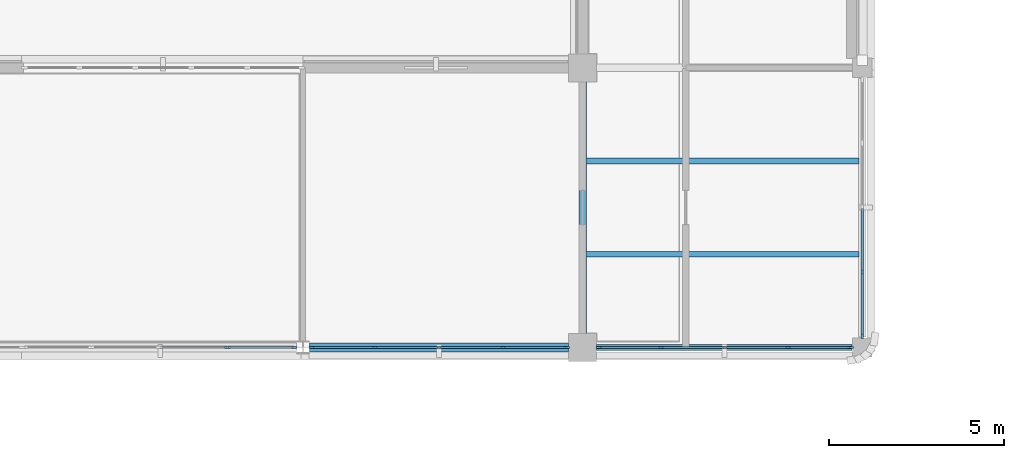
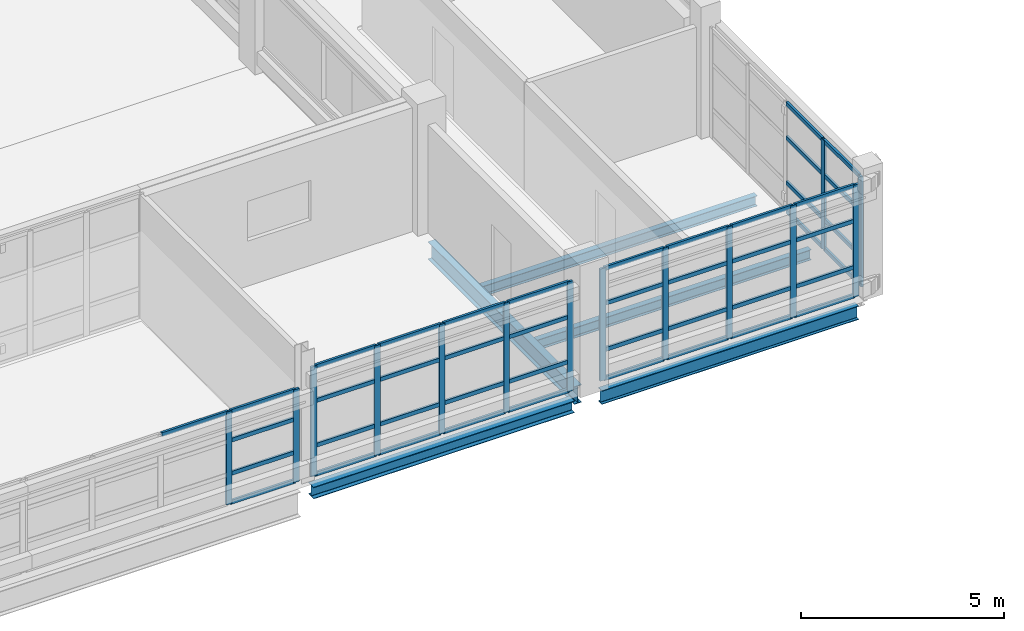
# One storey, part 19 of 107: 59 members, 5 beams, 4 elements without a shape of their own.
"""IFC4 building model written with IfcOpenShell, lengths in metres."""

import ifcopenshell
import ifcopenshell.guid

model = None  # the IFC model being written
_history = None  # IfcOwnerHistory: only IFC2X3 demands one
_inside = {}  # id of a spatial element -> (the spatial element, [elements in it])
_under = {}  # id of a project, library or spatial element -> (it, [spatial elements below it])
_declared = {}  # id of a project -> (the project, [libraries it declares])
_typed = {}  # id of a type object -> (the type object, [elements of that type])
_made_of = {}  # id of a material, layer set ... -> (it, [elements and type objects made of it])


def new_model(schema):
    """Start an empty IFC model of exactly this schema.

    Asked for "IFC4X3", IfcOpenShell would pick the latest addendum, in which some entities
    have other attributes; the version numbers below select the first issue.
    IFC2X3 requires an IfcOwnerHistory on every rooted entity: one is made here for all.
    """
    global model, _history
    if schema == "IFC4X3":
        model = ifcopenshell.file(schema_version=(4, 3, 0, 0))
    else:
        model = ifcopenshell.file(schema=schema)
    _inside.clear()
    _under.clear()
    _declared.clear()
    _typed.clear()
    _made_of.clear()
    _history = None
    if model.schema == "IFC2X3":
        org = make("IfcOrganization", Name="unknown")
        user = make(
            "IfcPersonAndOrganization",
            ThePerson=make("IfcPerson", FamilyName="unknown"),
            TheOrganization=org,
        )
        app = make(
            "IfcApplication",
            ApplicationDeveloper=org,
            Version="unknown",
            ApplicationFullName="unknown",
            ApplicationIdentifier="unknown",
        )
        _history = make(
            "IfcOwnerHistory",
            OwningUser=user,
            OwningApplication=app,
            ChangeAction="ADDED",
            CreationDate=0,
        )
    return model


def make(cls, **values):
    """One entity of the class cls with the attributes given. An attribute that is None is left unset."""
    return model.create_entity(
        cls, **{name: value for name, value in values.items() if value is not None}
    )


def rooted(cls, **values):
    """An entity with a GlobalId (a new one), such as an element, a storey or a relation."""
    return make(cls, GlobalId=ifcopenshell.guid.new(), OwnerHistory=_history, **values)


def si_unit(unit_type, name, prefix=None):
    """IfcSIUnit, for example si_unit("LENGTHUNIT", "METRE", prefix="MILLI")."""
    return make("IfcSIUnit", UnitType=unit_type, Prefix=prefix, Name=name)


def derived_unit(unit_type, elements):
    """IfcDerivedUnit: a product of units, each with its exponent."""
    return make(
        "IfcDerivedUnit",
        Elements=[
            make("IfcDerivedUnitElement", Unit=unit, Exponent=power)
            for unit, power in elements
        ],
        UnitType=unit_type,
    )


def assignment(units):
    """IfcUnitAssignment: the units of a project."""
    return None if units is None else make("IfcUnitAssignment", Units=units)


def point(xyz):
    """IfcCartesianPoint."""
    return None if xyz is None else make("IfcCartesianPoint", Coordinates=xyz)


def direction(xyz):
    """IfcDirection."""
    return None if xyz is None else make("IfcDirection", DirectionRatios=xyz)


def frame(location, z_axis=None, x_axis=None):
    """IfcAxis2Placement3D, a coordinate frame: its origin and axes. An axis left out is left unset."""
    return make(
        "IfcAxis2Placement3D",
        Location=point(location),
        Axis=direction(z_axis),
        RefDirection=direction(x_axis),
    )


def frame_2d(location, x_axis=None):
    """IfcAxis2Placement2D, a coordinate frame in the plane: its origin and x axis."""
    return make(
        "IfcAxis2Placement2D", Location=point(location), RefDirection=direction(x_axis)
    )


def origin():
    """The frame at (0, 0, 0) with its axes left unset."""
    return frame((0.0, 0.0, 0.0))


def origin_2d():
    """The frame at (0, 0) in the plane with its x axis left unset."""
    return frame_2d((0.0, 0.0))


def place(relative_to, where):
    """IfcLocalPlacement: puts the frame where relative to a parent placement (None: the world)."""
    return make(
        "IfcLocalPlacement", PlacementRelTo=relative_to, RelativePlacement=where
    )


def context(
    kind, dimensions, precision=None, world=None, true_north=None, identifier=None
):
    """IfcGeometricRepresentationContext, for example the 3D "Model" context."""
    return make(
        "IfcGeometricRepresentationContext",
        ContextIdentifier=identifier,
        ContextType=kind,
        CoordinateSpaceDimension=dimensions,
        Precision=precision,
        WorldCoordinateSystem=world,
        TrueNorth=true_north,
    )


def subcontext(parent, identifier, kind, view, scale=None):
    """IfcGeometricRepresentationSubContext, for example "Body" below "Model"."""
    return make(
        "IfcGeometricRepresentationSubContext",
        ContextIdentifier=identifier,
        ContextType=kind,
        ParentContext=parent,
        TargetScale=scale,
        TargetView=view,
    )


def project(units=None, contexts=None):
    """IfcProject with its units and contexts."""
    return rooted(
        "IfcProject",
        Name="project",
        RepresentationContexts=contexts,
        UnitsInContext=assignment(units),
    )


def spatial(cls, under=None, at=None, **own):
    """A site, building, storey or space (cls), placed at a placement, below another one or the project."""
    s = rooted(cls, ObjectPlacement=at, **own)
    if under is not None:
        _under.setdefault(under.id(), (under, []))[1].append(s)
    return s


def profile(cls, at=None, kind="AREA", **sizes):
    """A parametric profile (cls). Its sizes go by their IFC names, for example OverallWidth=200.0."""
    return make(cls, ProfileType=kind, Position=at, **sizes)


def rectangle(**sizes):
    """IfcRectangleProfileDef."""
    return profile("IfcRectangleProfileDef", **sizes)


def i_section(**sizes):
    """IfcIShapeProfileDef."""
    return profile("IfcIShapeProfileDef", **sizes)


def extrude(swept, where, along, depth):
    """IfcExtrudedAreaSolid: the profile swept, set in the frame where, extruded along a direction by depth."""
    return make(
        "IfcExtrudedAreaSolid",
        SweptArea=swept,
        Position=where,
        ExtrudedDirection=direction(along),
        Depth=depth,
    )


def shape(context_of_items, identifier, shape_type, items):
    """IfcShapeRepresentation: the items that make up one representation, for example the "Body"."""
    return make(
        "IfcShapeRepresentation",
        ContextOfItems=context_of_items,
        RepresentationIdentifier=identifier,
        RepresentationType=shape_type,
        Items=items,
    )


def material(Name=None, Category=None):
    """IfcMaterial."""
    return make("IfcMaterial", Name=Name, Category=Category)


def layer(
    of_material, thickness, ventilated=None, Name=None, Category=None, Priority=None
):
    """IfcMaterialLayer: one layer of a wall or slab, of a material (None: an air gap)."""
    return make(
        "IfcMaterialLayer",
        Material=of_material,
        LayerThickness=thickness,
        IsVentilated=ventilated,
        Name=Name,
        Category=Category,
        Priority=Priority,
    )


def layer_set(layers, Name=None):
    """IfcMaterialLayerSet."""
    return make("IfcMaterialLayerSet", MaterialLayers=layers, LayerSetName=Name)


def material_profile(
    of_material, cross_section, Name=None, Category=None, Priority=None
):
    """IfcMaterialProfile: a cross section and its material."""
    return make(
        "IfcMaterialProfile",
        Name=Name,
        Material=of_material,
        Profile=cross_section,
        Priority=Priority,
        Category=Category,
    )


def profile_set(profiles, Name=None, composite=None):
    """IfcMaterialProfileSet."""
    return make(
        "IfcMaterialProfileSet",
        Name=Name,
        MaterialProfiles=profiles,
        CompositeProfile=composite,
    )


def made_of(thing, what):
    """Note that an element or type object is made of a material, layer set ...; save() writes the relation."""
    if what is not None:
        _made_of.setdefault(what.id(), (what, []))[1].append(thing)
    return thing


def type_object(cls, material=None, **own):
    """A type object (cls), such as IfcWallType, which elements share."""
    return made_of(rooted(cls, **own), material)


def element(
    cls,
    number,
    at=None,
    inside=None,
    cuts=None,
    type_object=None,
    material=None,
    context=None,
    identifier="Body",
    shape_type=None,
    held_by="IfcProductDefinitionShape",
    body=None,
    shapes=None,
    **own,
):
    """One element of the class cls, such as IfcWall. Its Tag is "e" and its number.

    at: its placement. inside: the storey or other place that contains it. cuts: it is an
    opening in that element (IfcRelVoidsElement). A single representation is given by context,
    identifier, shape_type and body (its items); several are given by shapes. held_by: the class
    of the entity that holds the representations. save() writes the other relations.
    """
    e = rooted(cls, Tag="e%d" % number, ObjectPlacement=at, **own)
    if body is not None:
        shapes = [shape(context, identifier, shape_type, body)]
    if shapes is not None:
        e.Representation = make(held_by, Representations=shapes)
    if inside is not None:
        _inside.setdefault(inside.id(), (inside, []))[1].append(e)
    if cuts is not None:
        rooted(
            "IfcRelVoidsElement", RelatingBuildingElement=cuts, RelatedOpeningElement=e
        )
    if type_object is not None:
        _typed.setdefault(type_object.id(), (type_object, []))[1].append(e)
    return made_of(e, material)


def aggregate(whole, parts):
    """IfcRelAggregates: a whole, such as a stair, and the parts it consists of."""
    return rooted("IfcRelAggregates", RelatingObject=whole, RelatedObjects=parts)


def save(model, path):
    """Write the relations noted so far, then the file.

    IfcRelAggregates (storeys below a building ...), IfcRelContainedInSpatialStructure (elements
    in a storey), IfcRelDefinesByType, IfcRelAssociatesMaterial and IfcRelDeclares: one each for
    every whole, place, type object, material and project.
    """
    for whole, parts in _under.values():
        aggregate(whole, parts)
    for where, things in _inside.values():
        rooted(
            "IfcRelContainedInSpatialStructure",
            RelatedElements=things,
            RelatingStructure=where,
        )
    for kind, things in _typed.values():
        rooted("IfcRelDefinesByType", RelatedObjects=things, RelatingType=kind)
    for what, things in _made_of.values():
        rooted("IfcRelAssociatesMaterial", RelatedObjects=things, RelatingMaterial=what)
    for by, libraries in _declared.values():
        rooted("IfcRelDeclares", RelatingContext=by, RelatedDefinitions=libraries)
    model.write(path)


model = new_model("IFC4")

# Units and contexts
model_context = context("Model", 3, precision=1e-05, world=origin(), true_north=direction((0.0, 1.0)))
body_context = subcontext(model_context, "Body", "Model", "MODEL_VIEW")
ifc_project = project(units=[si_unit("LENGTHUNIT", "METRE"), si_unit("AREAUNIT", "SQUARE_METRE"), si_unit("VOLUMEUNIT", "CUBIC_METRE"), si_unit("PLANEANGLEUNIT", "RADIAN"), si_unit("MASSUNIT", "GRAM", prefix="KILO"), derived_unit("THERMALTRANSMITTANCEUNIT", [(si_unit("MASSUNIT", "GRAM", prefix="KILO"), 1), (si_unit("TIMEUNIT", "SECOND"), -3), (si_unit("THERMODYNAMICTEMPERATUREUNIT", "KELVIN"), -1)])], contexts=[model_context])

# Site, building, storey
site_placement = place(None, origin())
site = spatial("IfcSite", under=ifc_project, at=site_placement, CompositionType="ELEMENT")
building_placement = place(site_placement, origin())
building = spatial("IfcBuilding", under=site, at=building_placement, Name="Veyamyaing Civic Hall", CompositionType="ELEMENT")
storey_placement = place(building_placement, frame((0.0, 0.0, 13.860107421875)))
storey = spatial("IfcBuildingStorey", under=building, at=storey_placement, Name="L03", CompositionType="ELEMENT", Elevation=13.860107421875)

# Beams
ifc_material_1 = material(Name="Steel ASTM A992", Category="steel")
ifc_material_profile_1 = material_profile(ifc_material_1, i_section(OverallWidth=0.208984375, OverallDepth=0.532958984375, WebThickness=0.01025390625, FlangeThickness=0.015625, FilletRadius=0.011962890625, at=origin_2d()), Name="W530X92")
ifc_profile_set_1 = profile_set([ifc_material_profile_1], Name="Steel ASTM A992")
beam_type_1 = type_object("IfcBeamType", Name="B-07", PredefinedType="BEAM", material=ifc_profile_set_1)
beam_1_placement = place(storey_placement, frame((104.0, 24.39990234375, -0.521728515625), z_axis=(0.0, 1.0, 0.0), x_axis=(-1.0, 0.0, 0.0)))
element("IfcBeam", 1, at=beam_1_placement, inside=storey, type_object=beam_type_1, Name="Girder B-07 L03 Grid 14 D-E", PredefinedType="BEAM", context=body_context, shape_type="SweptSolid", body=[
    extrude(i_section(OverallWidth=0.208984375, OverallDepth=0.532958984375, WebThickness=0.01025390625, FlangeThickness=0.015625, FilletRadius=0.011962890625, at=origin_2d()), origin(), (0.0, 0.0, 1.0), 7.2001953125),
])
ifc_material_profile_2 = material_profile(ifc_material_1, i_section(OverallWidth=0.179931640625, OverallDepth=0.4130859375, WebThickness=0.009765625, FlangeThickness=0.01611328125, FilletRadius=0.010009765625, at=origin_2d()), Name="W410X74")
ifc_profile_set_2 = profile_set([ifc_material_profile_2], Name="Steel ASTM A992")
beam_type_2 = type_object("IfcBeamType", Name="B-10", PredefinedType="SPANDREL", material=ifc_profile_set_2)
beam_2_placement = place(storey_placement, frame((104.39990234375, 24.0, -0.461669921875), z_axis=(1.0, 0.0, 0.0), x_axis=(0.0, 1.0, 0.0)))
element("IfcBeam", 2, at=beam_2_placement, inside=storey, type_object=beam_type_2, Name="Girder B-10 L03 Grid D 14-15", PredefinedType="SPANDREL", context=body_context, shape_type="SweptSolid", body=[
    extrude(i_section(OverallWidth=0.179931640625, OverallDepth=0.4130859375, WebThickness=0.009765625, FlangeThickness=0.01611328125, FilletRadius=0.010009765625, at=origin_2d()), origin(), (0.0, 0.0, 1.0), 7.300048828125),
])
ifc_material_profile_3 = material_profile(ifc_material_1, i_section(OverallWidth=0.25390625, OverallDepth=0.35302734375, WebThickness=0.009521484375, FlangeThickness=0.016357421875, FilletRadius=0.011962890625, at=origin_2d()), Name="W360X91")
ifc_profile_set_3 = profile_set([ifc_material_profile_3], Name="Steel ASTM A992")
beam_type_3 = type_object("IfcBeamType", Name="B-20", PredefinedType="SPANDREL", material=ifc_profile_set_3)
beam_3_placement = place(storey_placement, frame((96.185546875, 24.0, -0.431640625), z_axis=(1.0, 0.0, 0.0), x_axis=(0.0, 1.0, 0.0)))
element("IfcBeam", 3, at=beam_3_placement, inside=storey, type_object=beam_type_3, Name="Girder B-20 L03 Grid D 13-14", PredefinedType="SPANDREL", context=body_context, shape_type="SweptSolid", body=[
    extrude(i_section(OverallWidth=0.25390625, OverallDepth=0.35302734375, WebThickness=0.009521484375, FlangeThickness=0.016357421875, FilletRadius=0.011962890625, at=origin_2d()), origin(), (0.0, 0.0, 1.0), 7.41455078125),
])

# Curtain wall, members
ifc_material_2 = material(Name="Anodised aluminium 6063-T6", Category="aluminium")
ifc_layer = layer(ifc_material_2, 0.159912109375, Name="Anodised aluminium 6063-T6")
ifc_layer_set = layer_set([ifc_layer], Name="Anodised aluminium 6063-T6")
curtain_wall_type = type_object("IfcCurtainWallType", Name="CW-07", PredefinedType="NOTDEFINED", material=ifc_layer_set)
curtain_wall_1_placement = place(storey_placement, origin())
curtain_wall_1 = element("IfcCurtainWall", 4, at=curtain_wall_1_placement, inside=storey, type_object=curtain_wall_type, Name="Unitized curtain wall CW-07 L03 S 12.4", PredefinedType="NOTDEFINED")
ifc_material_profile_4 = material_profile(ifc_material_2, rectangle(XDim=0.06494140625, YDim=0.159912109375, at=origin_2d()), Name="ALU-MUL-65X160")
ifc_profile_set_4 = profile_set([ifc_material_profile_4], Name="Anodised aluminium 6063-T6")
member_type_1 = type_object("IfcMemberType", Name="CWM-01", PredefinedType="MULLION", material=ifc_profile_set_4)
member_1_placement = place(storey_placement, frame((93.839111328125, 24.0, 0.0), z_axis=(0.0, 0.0, 1.0), x_axis=(0.0, 1.0, 0.0)))
member_1 = element("IfcMember", 5, at=member_1_placement, type_object=member_type_1, Name="CW-07 mullion 4", PredefinedType="MULLION", context=body_context, shape_type="SweptSolid", body=[
    extrude(rectangle(XDim=0.06494140625, YDim=0.159912109375, at=origin_2d()), origin(), (0.0, 0.0, 1.0), 2.788818359375),
])
member_2_placement = place(storey_placement, frame((95.7529296875, 24.0, 0.0), z_axis=(0.0, 0.0, 1.0), x_axis=(0.0, 1.0, 0.0)))
member_2 = element("IfcMember", 6, at=member_2_placement, type_object=member_type_1, Name="CW-07 mullion 5", PredefinedType="MULLION", context=body_context, shape_type="SweptSolid", body=[
    extrude(rectangle(XDim=0.06494140625, YDim=0.159912109375, at=origin_2d()), origin(), (0.0, 0.0, 1.0), 2.788818359375),
])

curtain_wall_2_placement = place(storey_placement, origin())
curtain_wall_2 = element("IfcCurtainWall", 7, at=curtain_wall_2_placement, inside=storey, type_object=curtain_wall_type, Name="Unitized curtain wall CW-07 L03 S 13.4", PredefinedType="NOTDEFINED")
member_3_placement = place(storey_placement, frame((96.2470703125, 24.0, 0.0), z_axis=(0.0, 0.0, 1.0), x_axis=(0.0, 1.0, 0.0)))
member_3 = element("IfcMember", 8, at=member_3_placement, type_object=member_type_1, Name="CW-07 mullion 1", PredefinedType="MULLION", context=body_context, shape_type="SweptSolid", body=[
    extrude(rectangle(XDim=0.06494140625, YDim=0.159912109375, at=origin_2d()), origin(), (0.0, 0.0, 1.0), 3.298828125),
])
member_4_placement = place(storey_placement, frame((98.053466796875, 24.0, 0.0), z_axis=(0.0, 0.0, 1.0), x_axis=(0.0, 1.0, 0.0)))
member_4 = element("IfcMember", 9, at=member_4_placement, type_object=member_type_1, Name="CW-07 mullion 2", PredefinedType="MULLION", context=body_context, shape_type="SweptSolid", body=[
    extrude(rectangle(XDim=0.06494140625, YDim=0.159912109375, at=origin_2d()), origin(), (0.0, 0.0, 1.0), 3.298828125),
])
member_5_placement = place(storey_placement, frame((99.892333984375, 24.0, 0.0), z_axis=(0.0, 0.0, 1.0), x_axis=(0.0, 1.0, 0.0)))
member_5 = element("IfcMember", 10, at=member_5_placement, type_object=member_type_1, Name="CW-07 mullion 3", PredefinedType="MULLION", context=body_context, shape_type="SweptSolid", body=[
    extrude(rectangle(XDim=0.06494140625, YDim=0.159912109375, at=origin_2d()), origin(), (0.0, 0.0, 1.0), 3.298828125),
])
member_6_placement = place(storey_placement, frame((101.731201171875, 24.0, 0.0), z_axis=(0.0, 0.0, 1.0), x_axis=(0.0, 1.0, 0.0)))
member_6 = element("IfcMember", 11, at=member_6_placement, type_object=member_type_1, Name="CW-07 mullion 4", PredefinedType="MULLION", context=body_context, shape_type="SweptSolid", body=[
    extrude(rectangle(XDim=0.06494140625, YDim=0.159912109375, at=origin_2d()), origin(), (0.0, 0.0, 1.0), 3.298828125),
])
member_7_placement = place(storey_placement, frame((103.53759765625, 24.0, 0.0), z_axis=(0.0, 0.0, 1.0), x_axis=(0.0, 1.0, 0.0)))
member_7 = element("IfcMember", 12, at=member_7_placement, type_object=member_type_1, Name="CW-07 mullion 5", PredefinedType="MULLION", context=body_context, shape_type="SweptSolid", body=[
    extrude(rectangle(XDim=0.06494140625, YDim=0.159912109375, at=origin_2d()), origin(), (0.0, 0.0, 1.0), 3.298828125),
])

curtain_wall_3_placement = place(storey_placement, origin())
curtain_wall_3 = element("IfcCurtainWall", 13, at=curtain_wall_3_placement, inside=storey, type_object=curtain_wall_type, Name="Unitized curtain wall CW-07 L03 S 14.4", PredefinedType="NOTDEFINED")
member_8_placement = place(storey_placement, frame((104.46240234375, 24.0, 0.0), z_axis=(0.0, 0.0, 1.0), x_axis=(0.0, 1.0, 0.0)))
member_8 = element("IfcMember", 14, at=member_8_placement, type_object=member_type_1, Name="CW-07 mullion 1", PredefinedType="MULLION", context=body_context, shape_type="SweptSolid", body=[
    extrude(rectangle(XDim=0.06494140625, YDim=0.159912109375, at=origin_2d()), origin(), (0.0, 0.0, 1.0), 3.366943359375),
])
member_9_placement = place(storey_placement, frame((106.246337890625, 24.0, 0.0), z_axis=(0.0, 0.0, 1.0), x_axis=(0.0, 1.0, 0.0)))
member_9 = element("IfcMember", 15, at=member_9_placement, type_object=member_type_1, Name="CW-07 mullion 2", PredefinedType="MULLION", context=body_context, shape_type="SweptSolid", body=[
    extrude(rectangle(XDim=0.06494140625, YDim=0.159912109375, at=origin_2d()), origin(), (0.0, 0.0, 1.0), 3.366943359375),
])
member_10_placement = place(storey_placement, frame((108.0625, 24.0, 0.0), z_axis=(0.0, 0.0, 1.0), x_axis=(0.0, 1.0, 0.0)))
member_10 = element("IfcMember", 16, at=member_10_placement, type_object=member_type_1, Name="CW-07 mullion 3", PredefinedType="MULLION", context=body_context, shape_type="SweptSolid", body=[
    extrude(rectangle(XDim=0.06494140625, YDim=0.159912109375, at=origin_2d()), origin(), (0.0, 0.0, 1.0), 3.366943359375),
])
member_11_placement = place(storey_placement, frame((109.878662109375, 24.0, 0.0), z_axis=(0.0, 0.0, 1.0), x_axis=(0.0, 1.0, 0.0)))
member_11 = element("IfcMember", 17, at=member_11_placement, type_object=member_type_1, Name="CW-07 mullion 4", PredefinedType="MULLION", context=body_context, shape_type="SweptSolid", body=[
    extrude(rectangle(XDim=0.06494140625, YDim=0.159912109375, at=origin_2d()), origin(), (0.0, 0.0, 1.0), 3.366943359375),
])
member_12_placement = place(storey_placement, frame((111.66259765625, 24.0, 0.0), z_axis=(0.0, 0.0, 1.0), x_axis=(0.0, 1.0, 0.0)))
member_12 = element("IfcMember", 18, at=member_12_placement, type_object=member_type_1, Name="CW-07 mullion 5", PredefinedType="MULLION", context=body_context, shape_type="SweptSolid", body=[
    extrude(rectangle(XDim=0.06494140625, YDim=0.159912109375, at=origin_2d()), origin(), (0.0, 0.0, 1.0), 3.366943359375),
])

curtain_wall_4_placement = place(storey_placement, origin())
curtain_wall_4 = element("IfcCurtainWall", 19, at=curtain_wall_4_placement, inside=storey, type_object=curtain_wall_type, Name="Unitized curtain wall CW-07 L03 E 14.4", PredefinedType="NOTDEFINED")
member_13_placement = place(storey_placement, frame((112.0, 24.33740234375, 0.0), z_axis=(0.0, 0.0, 1.0), x_axis=(-1.0, 0.0, 0.0)))
member_13 = element("IfcMember", 20, at=member_13_placement, type_object=member_type_1, Name="CW-07 mullion 1", PredefinedType="MULLION", context=body_context, shape_type="SweptSolid", body=[
    extrude(rectangle(XDim=0.06494140625, YDim=0.159912109375, at=origin_2d()), origin(), (0.0, 0.0, 1.0), 3.2998046875),
])
member_14_placement = place(storey_placement, frame((112.0, 26.152587890625, 0.0), z_axis=(0.0, 0.0, 1.0), x_axis=(-1.0, 0.0, 0.0)))
member_14 = element("IfcMember", 21, at=member_14_placement, type_object=member_type_1, Name="CW-07 mullion 2", PredefinedType="MULLION", context=body_context, shape_type="SweptSolid", body=[
    extrude(rectangle(XDim=0.06494140625, YDim=0.159912109375, at=origin_2d()), origin(), (0.0, 0.0, 1.0), 3.2998046875),
])

# Member
ifc_material_profile_5 = material_profile(ifc_material_2, rectangle(XDim=0.06494140625, YDim=0.1201171875, at=origin_2d()), Name="ALU-TRN-65X120")
ifc_profile_set_5 = profile_set([ifc_material_profile_5], Name="Anodised aluminium 6063-T6")
member_type_2 = type_object("IfcMemberType", Name="CWT-01", PredefinedType="USERDEFINED", material=ifc_profile_set_5)
member_15_placement = place(storey_placement, frame((91.92529296875, 24.0, 2.75634765625), z_axis=(1.0, 0.0, 0.0), x_axis=(0.0, 1.0, 0.0)))
member_15 = element("IfcMember", 22, at=member_15_placement, type_object=member_type_2, Name="CW-07 transom 3.4", ObjectType="TRANSOM", PredefinedType="USERDEFINED", context=body_context, shape_type="SweptSolid", body=[
    extrude(rectangle(XDim=0.06494140625, YDim=0.1201171875, at=origin_2d()), origin(), (0.0, 0.0, 1.0), 1.88134765625),
])

member_16_placement = place(storey_placement, frame((93.87158203125, 24.0, 0.032470703125), z_axis=(1.0, 0.0, 0.0), x_axis=(0.0, 1.0, 0.0)))
member_16 = element("IfcMember", 23, at=member_16_placement, type_object=member_type_2, Name="CW-07 transom 4.1", ObjectType="TRANSOM", PredefinedType="USERDEFINED", context=body_context, shape_type="SweptSolid", body=[
    extrude(rectangle(XDim=0.06494140625, YDim=0.1201171875, at=origin_2d()), origin(), (0.0, 0.0, 1.0), 1.848876953125),
])

member_17_placement = place(storey_placement, frame((93.87158203125, 24.0, 0.89990234375), z_axis=(1.0, 0.0, 0.0), x_axis=(0.0, 1.0, 0.0)))
member_17 = element("IfcMember", 24, at=member_17_placement, type_object=member_type_2, Name="CW-07 transom 4.2", ObjectType="TRANSOM", PredefinedType="USERDEFINED", context=body_context, shape_type="SweptSolid", body=[
    extrude(rectangle(XDim=0.06494140625, YDim=0.1201171875, at=origin_2d()), origin(), (0.0, 0.0, 1.0), 1.848876953125),
])

member_18_placement = place(storey_placement, frame((93.87158203125, 24.0, 1.896484375), z_axis=(1.0, 0.0, 0.0), x_axis=(0.0, 1.0, 0.0)))
member_18 = element("IfcMember", 25, at=member_18_placement, type_object=member_type_2, Name="CW-07 transom 4.3", ObjectType="TRANSOM", PredefinedType="USERDEFINED", context=body_context, shape_type="SweptSolid", body=[
    extrude(rectangle(XDim=0.06494140625, YDim=0.1201171875, at=origin_2d()), origin(), (0.0, 0.0, 1.0), 1.848876953125),
])

member_19_placement = place(storey_placement, frame((93.87158203125, 24.0, 2.75634765625), z_axis=(1.0, 0.0, 0.0), x_axis=(0.0, 1.0, 0.0)))
member_19 = element("IfcMember", 26, at=member_19_placement, type_object=member_type_2, Name="CW-07 transom 4.4", ObjectType="TRANSOM", PredefinedType="USERDEFINED", context=body_context, shape_type="SweptSolid", body=[
    extrude(rectangle(XDim=0.06494140625, YDim=0.1201171875, at=origin_2d()), origin(), (0.0, 0.0, 1.0), 1.848876953125),
])

aggregate(curtain_wall_1, [member_1, member_2, member_15, member_16, member_17, member_18, member_19])

member_20_placement = place(storey_placement, frame((96.279541015625, 24.0, 0.032470703125), z_axis=(1.0, 0.0, 0.0), x_axis=(0.0, 1.0, 0.0)))
member_20 = element("IfcMember", 27, at=member_20_placement, type_object=member_type_2, Name="CW-07 transom 1.1", ObjectType="TRANSOM", PredefinedType="USERDEFINED", context=body_context, shape_type="SweptSolid", body=[
    extrude(rectangle(XDim=0.06494140625, YDim=0.1201171875, at=origin_2d()), origin(), (0.0, 0.0, 1.0), 1.741455078125),
])

member_21_placement = place(storey_placement, frame((96.279541015625, 24.0, 0.89990234375), z_axis=(1.0, 0.0, 0.0), x_axis=(0.0, 1.0, 0.0)))
member_21 = element("IfcMember", 28, at=member_21_placement, type_object=member_type_2, Name="CW-07 transom 1.2", ObjectType="TRANSOM", PredefinedType="USERDEFINED", context=body_context, shape_type="SweptSolid", body=[
    extrude(rectangle(XDim=0.06494140625, YDim=0.1201171875, at=origin_2d()), origin(), (0.0, 0.0, 1.0), 1.741455078125),
])

member_22_placement = place(storey_placement, frame((96.279541015625, 24.0, 2.2431640625), z_axis=(1.0, 0.0, 0.0), x_axis=(0.0, 1.0, 0.0)))
member_22 = element("IfcMember", 29, at=member_22_placement, type_object=member_type_2, Name="CW-07 transom 1.3", ObjectType="TRANSOM", PredefinedType="USERDEFINED", context=body_context, shape_type="SweptSolid", body=[
    extrude(rectangle(XDim=0.06494140625, YDim=0.1201171875, at=origin_2d()), origin(), (0.0, 0.0, 1.0), 1.741455078125),
])

member_23_placement = place(storey_placement, frame((96.279541015625, 24.0, 3.266357421875), z_axis=(1.0, 0.0, 0.0), x_axis=(0.0, 1.0, 0.0)))
member_23 = element("IfcMember", 30, at=member_23_placement, type_object=member_type_2, Name="CW-07 transom 1.4", ObjectType="TRANSOM", PredefinedType="USERDEFINED", context=body_context, shape_type="SweptSolid", body=[
    extrude(rectangle(XDim=0.06494140625, YDim=0.1201171875, at=origin_2d()), origin(), (0.0, 0.0, 1.0), 1.741455078125),
])

member_24_placement = place(storey_placement, frame((98.0859375, 24.0, 0.032470703125), z_axis=(1.0, 0.0, 0.0), x_axis=(0.0, 1.0, 0.0)))
member_24 = element("IfcMember", 31, at=member_24_placement, type_object=member_type_2, Name="CW-07 transom 2.1", ObjectType="TRANSOM", PredefinedType="USERDEFINED", context=body_context, shape_type="SweptSolid", body=[
    extrude(rectangle(XDim=0.06494140625, YDim=0.1201171875, at=origin_2d()), origin(), (0.0, 0.0, 1.0), 1.77392578125),
])

member_25_placement = place(storey_placement, frame((98.0859375, 24.0, 0.89990234375), z_axis=(1.0, 0.0, 0.0), x_axis=(0.0, 1.0, 0.0)))
member_25 = element("IfcMember", 32, at=member_25_placement, type_object=member_type_2, Name="CW-07 transom 2.2", ObjectType="TRANSOM", PredefinedType="USERDEFINED", context=body_context, shape_type="SweptSolid", body=[
    extrude(rectangle(XDim=0.06494140625, YDim=0.1201171875, at=origin_2d()), origin(), (0.0, 0.0, 1.0), 1.77392578125),
])

member_26_placement = place(storey_placement, frame((98.0859375, 24.0, 2.2431640625), z_axis=(1.0, 0.0, 0.0), x_axis=(0.0, 1.0, 0.0)))
member_26 = element("IfcMember", 33, at=member_26_placement, type_object=member_type_2, Name="CW-07 transom 2.3", ObjectType="TRANSOM", PredefinedType="USERDEFINED", context=body_context, shape_type="SweptSolid", body=[
    extrude(rectangle(XDim=0.06494140625, YDim=0.1201171875, at=origin_2d()), origin(), (0.0, 0.0, 1.0), 1.77392578125),
])

member_27_placement = place(storey_placement, frame((98.0859375, 24.0, 3.266357421875), z_axis=(1.0, 0.0, 0.0), x_axis=(0.0, 1.0, 0.0)))
member_27 = element("IfcMember", 34, at=member_27_placement, type_object=member_type_2, Name="CW-07 transom 2.4", ObjectType="TRANSOM", PredefinedType="USERDEFINED", context=body_context, shape_type="SweptSolid", body=[
    extrude(rectangle(XDim=0.06494140625, YDim=0.1201171875, at=origin_2d()), origin(), (0.0, 0.0, 1.0), 1.77392578125),
])

member_28_placement = place(storey_placement, frame((99.9248046875, 24.0, 0.032470703125), z_axis=(1.0, 0.0, 0.0), x_axis=(0.0, 1.0, 0.0)))
member_28 = element("IfcMember", 35, at=member_28_placement, type_object=member_type_2, Name="CW-07 transom 3.1", ObjectType="TRANSOM", PredefinedType="USERDEFINED", context=body_context, shape_type="SweptSolid", body=[
    extrude(rectangle(XDim=0.06494140625, YDim=0.1201171875, at=origin_2d()), origin(), (0.0, 0.0, 1.0), 1.77392578125),
])

member_29_placement = place(storey_placement, frame((99.9248046875, 24.0, 0.89990234375), z_axis=(1.0, 0.0, 0.0), x_axis=(0.0, 1.0, 0.0)))
member_29 = element("IfcMember", 36, at=member_29_placement, type_object=member_type_2, Name="CW-07 transom 3.2", ObjectType="TRANSOM", PredefinedType="USERDEFINED", context=body_context, shape_type="SweptSolid", body=[
    extrude(rectangle(XDim=0.06494140625, YDim=0.1201171875, at=origin_2d()), origin(), (0.0, 0.0, 1.0), 1.77392578125),
])

member_30_placement = place(storey_placement, frame((99.9248046875, 24.0, 2.2431640625), z_axis=(1.0, 0.0, 0.0), x_axis=(0.0, 1.0, 0.0)))
member_30 = element("IfcMember", 37, at=member_30_placement, type_object=member_type_2, Name="CW-07 transom 3.3", ObjectType="TRANSOM", PredefinedType="USERDEFINED", context=body_context, shape_type="SweptSolid", body=[
    extrude(rectangle(XDim=0.06494140625, YDim=0.1201171875, at=origin_2d()), origin(), (0.0, 0.0, 1.0), 1.77392578125),
])

member_31_placement = place(storey_placement, frame((99.9248046875, 24.0, 3.266357421875), z_axis=(1.0, 0.0, 0.0), x_axis=(0.0, 1.0, 0.0)))
member_31 = element("IfcMember", 38, at=member_31_placement, type_object=member_type_2, Name="CW-07 transom 3.4", ObjectType="TRANSOM", PredefinedType="USERDEFINED", context=body_context, shape_type="SweptSolid", body=[
    extrude(rectangle(XDim=0.06494140625, YDim=0.1201171875, at=origin_2d()), origin(), (0.0, 0.0, 1.0), 1.77392578125),
])

member_32_placement = place(storey_placement, frame((101.763671875, 24.0, 0.032470703125), z_axis=(1.0, 0.0, 0.0), x_axis=(0.0, 1.0, 0.0)))
member_32 = element("IfcMember", 39, at=member_32_placement, type_object=member_type_2, Name="CW-07 transom 4.1", ObjectType="TRANSOM", PredefinedType="USERDEFINED", context=body_context, shape_type="SweptSolid", body=[
    extrude(rectangle(XDim=0.06494140625, YDim=0.1201171875, at=origin_2d()), origin(), (0.0, 0.0, 1.0), 1.7412109375),
])

member_33_placement = place(storey_placement, frame((101.763671875, 24.0, 0.89990234375), z_axis=(1.0, 0.0, 0.0), x_axis=(0.0, 1.0, 0.0)))
member_33 = element("IfcMember", 40, at=member_33_placement, type_object=member_type_2, Name="CW-07 transom 4.2", ObjectType="TRANSOM", PredefinedType="USERDEFINED", context=body_context, shape_type="SweptSolid", body=[
    extrude(rectangle(XDim=0.06494140625, YDim=0.1201171875, at=origin_2d()), origin(), (0.0, 0.0, 1.0), 1.7412109375),
])

member_34_placement = place(storey_placement, frame((101.763671875, 24.0, 2.2431640625), z_axis=(1.0, 0.0, 0.0), x_axis=(0.0, 1.0, 0.0)))
member_34 = element("IfcMember", 41, at=member_34_placement, type_object=member_type_2, Name="CW-07 transom 4.3", ObjectType="TRANSOM", PredefinedType="USERDEFINED", context=body_context, shape_type="SweptSolid", body=[
    extrude(rectangle(XDim=0.06494140625, YDim=0.1201171875, at=origin_2d()), origin(), (0.0, 0.0, 1.0), 1.7412109375),
])

member_35_placement = place(storey_placement, frame((101.763671875, 24.0, 3.266357421875), z_axis=(1.0, 0.0, 0.0), x_axis=(0.0, 1.0, 0.0)))
member_35 = element("IfcMember", 42, at=member_35_placement, type_object=member_type_2, Name="CW-07 transom 4.4", ObjectType="TRANSOM", PredefinedType="USERDEFINED", context=body_context, shape_type="SweptSolid", body=[
    extrude(rectangle(XDim=0.06494140625, YDim=0.1201171875, at=origin_2d()), origin(), (0.0, 0.0, 1.0), 1.7412109375),
])

aggregate(curtain_wall_2, [member_3, member_4, member_5, member_6, member_7, member_20, member_21, member_22, member_23, member_24, member_25, member_26, member_27, member_28, member_29, member_30, member_31, member_32, member_33, member_34, member_35])

member_36_placement = place(storey_placement, frame((104.4951171875, 24.0, 0.032470703125), z_axis=(1.0, 0.0, 0.0), x_axis=(0.0, 1.0, 0.0)))
member_36 = element("IfcMember", 43, at=member_36_placement, type_object=member_type_2, Name="CW-07 transom 1.1", ObjectType="TRANSOM", PredefinedType="USERDEFINED", context=body_context, shape_type="SweptSolid", body=[
    extrude(rectangle(XDim=0.06494140625, YDim=0.1201171875, at=origin_2d()), origin(), (0.0, 0.0, 1.0), 1.71875),
])

member_37_placement = place(storey_placement, frame((104.4951171875, 24.0, 0.89990234375), z_axis=(1.0, 0.0, 0.0), x_axis=(0.0, 1.0, 0.0)))
member_37 = element("IfcMember", 44, at=member_37_placement, type_object=member_type_2, Name="CW-07 transom 1.2", ObjectType="TRANSOM", PredefinedType="USERDEFINED", context=body_context, shape_type="SweptSolid", body=[
    extrude(rectangle(XDim=0.06494140625, YDim=0.1201171875, at=origin_2d()), origin(), (0.0, 0.0, 1.0), 1.71875),
])

member_38_placement = place(storey_placement, frame((104.4951171875, 24.0, 2.28955078125), z_axis=(1.0, 0.0, 0.0), x_axis=(0.0, 1.0, 0.0)))
member_38 = element("IfcMember", 45, at=member_38_placement, type_object=member_type_2, Name="CW-07 transom 1.3", ObjectType="TRANSOM", PredefinedType="USERDEFINED", context=body_context, shape_type="SweptSolid", body=[
    extrude(rectangle(XDim=0.06494140625, YDim=0.1201171875, at=origin_2d()), origin(), (0.0, 0.0, 1.0), 1.71875),
])

member_39_placement = place(storey_placement, frame((104.4951171875, 24.0, 3.33447265625), z_axis=(1.0, 0.0, 0.0), x_axis=(0.0, 1.0, 0.0)))
member_39 = element("IfcMember", 46, at=member_39_placement, type_object=member_type_2, Name="CW-07 transom 1.4", ObjectType="TRANSOM", PredefinedType="USERDEFINED", context=body_context, shape_type="SweptSolid", body=[
    extrude(rectangle(XDim=0.06494140625, YDim=0.1201171875, at=origin_2d()), origin(), (0.0, 0.0, 1.0), 1.71875),
])

member_40_placement = place(storey_placement, frame((106.27880859375, 24.0, 0.032470703125), z_axis=(1.0, 0.0, 0.0), x_axis=(0.0, 1.0, 0.0)))
member_40 = element("IfcMember", 47, at=member_40_placement, type_object=member_type_2, Name="CW-07 transom 2.1", ObjectType="TRANSOM", PredefinedType="USERDEFINED", context=body_context, shape_type="SweptSolid", body=[
    extrude(rectangle(XDim=0.06494140625, YDim=0.1201171875, at=origin_2d()), origin(), (0.0, 0.0, 1.0), 1.751220703125),
])

member_41_placement = place(storey_placement, frame((106.27880859375, 24.0, 0.89990234375), z_axis=(1.0, 0.0, 0.0), x_axis=(0.0, 1.0, 0.0)))
member_41 = element("IfcMember", 48, at=member_41_placement, type_object=member_type_2, Name="CW-07 transom 2.2", ObjectType="TRANSOM", PredefinedType="USERDEFINED", context=body_context, shape_type="SweptSolid", body=[
    extrude(rectangle(XDim=0.06494140625, YDim=0.1201171875, at=origin_2d()), origin(), (0.0, 0.0, 1.0), 1.751220703125),
])

member_42_placement = place(storey_placement, frame((106.27880859375, 24.0, 2.28955078125), z_axis=(1.0, 0.0, 0.0), x_axis=(0.0, 1.0, 0.0)))
member_42 = element("IfcMember", 49, at=member_42_placement, type_object=member_type_2, Name="CW-07 transom 2.3", ObjectType="TRANSOM", PredefinedType="USERDEFINED", context=body_context, shape_type="SweptSolid", body=[
    extrude(rectangle(XDim=0.06494140625, YDim=0.1201171875, at=origin_2d()), origin(), (0.0, 0.0, 1.0), 1.751220703125),
])

member_43_placement = place(storey_placement, frame((106.27880859375, 24.0, 3.33447265625), z_axis=(1.0, 0.0, 0.0), x_axis=(0.0, 1.0, 0.0)))
member_43 = element("IfcMember", 50, at=member_43_placement, type_object=member_type_2, Name="CW-07 transom 2.4", ObjectType="TRANSOM", PredefinedType="USERDEFINED", context=body_context, shape_type="SweptSolid", body=[
    extrude(rectangle(XDim=0.06494140625, YDim=0.1201171875, at=origin_2d()), origin(), (0.0, 0.0, 1.0), 1.751220703125),
])

member_44_placement = place(storey_placement, frame((108.094970703125, 24.0, 0.032470703125), z_axis=(1.0, 0.0, 0.0), x_axis=(0.0, 1.0, 0.0)))
member_44 = element("IfcMember", 51, at=member_44_placement, type_object=member_type_2, Name="CW-07 transom 3.1", ObjectType="TRANSOM", PredefinedType="USERDEFINED", context=body_context, shape_type="SweptSolid", body=[
    extrude(rectangle(XDim=0.06494140625, YDim=0.1201171875, at=origin_2d()), origin(), (0.0, 0.0, 1.0), 1.751220703125),
])

member_45_placement = place(storey_placement, frame((108.094970703125, 24.0, 0.89990234375), z_axis=(1.0, 0.0, 0.0), x_axis=(0.0, 1.0, 0.0)))
member_45 = element("IfcMember", 52, at=member_45_placement, type_object=member_type_2, Name="CW-07 transom 3.2", ObjectType="TRANSOM", PredefinedType="USERDEFINED", context=body_context, shape_type="SweptSolid", body=[
    extrude(rectangle(XDim=0.06494140625, YDim=0.1201171875, at=origin_2d()), origin(), (0.0, 0.0, 1.0), 1.751220703125),
])

member_46_placement = place(storey_placement, frame((108.094970703125, 24.0, 2.28955078125), z_axis=(1.0, 0.0, 0.0), x_axis=(0.0, 1.0, 0.0)))
member_46 = element("IfcMember", 53, at=member_46_placement, type_object=member_type_2, Name="CW-07 transom 3.3", ObjectType="TRANSOM", PredefinedType="USERDEFINED", context=body_context, shape_type="SweptSolid", body=[
    extrude(rectangle(XDim=0.06494140625, YDim=0.1201171875, at=origin_2d()), origin(), (0.0, 0.0, 1.0), 1.751220703125),
])

member_47_placement = place(storey_placement, frame((108.094970703125, 24.0, 3.33447265625), z_axis=(1.0, 0.0, 0.0), x_axis=(0.0, 1.0, 0.0)))
member_47 = element("IfcMember", 54, at=member_47_placement, type_object=member_type_2, Name="CW-07 transom 3.4", ObjectType="TRANSOM", PredefinedType="USERDEFINED", context=body_context, shape_type="SweptSolid", body=[
    extrude(rectangle(XDim=0.06494140625, YDim=0.1201171875, at=origin_2d()), origin(), (0.0, 0.0, 1.0), 1.751220703125),
])

member_48_placement = place(storey_placement, frame((109.9111328125, 24.0, 0.032470703125), z_axis=(1.0, 0.0, 0.0), x_axis=(0.0, 1.0, 0.0)))
member_48 = element("IfcMember", 55, at=member_48_placement, type_object=member_type_2, Name="CW-07 transom 4.1", ObjectType="TRANSOM", PredefinedType="USERDEFINED", context=body_context, shape_type="SweptSolid", body=[
    extrude(rectangle(XDim=0.06494140625, YDim=0.1201171875, at=origin_2d()), origin(), (0.0, 0.0, 1.0), 1.71875),
])

member_49_placement = place(storey_placement, frame((109.9111328125, 24.0, 0.89990234375), z_axis=(1.0, 0.0, 0.0), x_axis=(0.0, 1.0, 0.0)))
member_49 = element("IfcMember", 56, at=member_49_placement, type_object=member_type_2, Name="CW-07 transom 4.2", ObjectType="TRANSOM", PredefinedType="USERDEFINED", context=body_context, shape_type="SweptSolid", body=[
    extrude(rectangle(XDim=0.06494140625, YDim=0.1201171875, at=origin_2d()), origin(), (0.0, 0.0, 1.0), 1.71875),
])

member_50_placement = place(storey_placement, frame((109.9111328125, 24.0, 2.28955078125), z_axis=(1.0, 0.0, 0.0), x_axis=(0.0, 1.0, 0.0)))
member_50 = element("IfcMember", 57, at=member_50_placement, type_object=member_type_2, Name="CW-07 transom 4.3", ObjectType="TRANSOM", PredefinedType="USERDEFINED", context=body_context, shape_type="SweptSolid", body=[
    extrude(rectangle(XDim=0.06494140625, YDim=0.1201171875, at=origin_2d()), origin(), (0.0, 0.0, 1.0), 1.71875),
])

member_51_placement = place(storey_placement, frame((109.9111328125, 24.0, 3.33447265625), z_axis=(1.0, 0.0, 0.0), x_axis=(0.0, 1.0, 0.0)))
member_51 = element("IfcMember", 58, at=member_51_placement, type_object=member_type_2, Name="CW-07 transom 4.4", ObjectType="TRANSOM", PredefinedType="USERDEFINED", context=body_context, shape_type="SweptSolid", body=[
    extrude(rectangle(XDim=0.06494140625, YDim=0.1201171875, at=origin_2d()), origin(), (0.0, 0.0, 1.0), 1.71875),
])

aggregate(curtain_wall_3, [member_8, member_9, member_10, member_11, member_12, member_36, member_37, member_38, member_39, member_40, member_41, member_42, member_43, member_44, member_45, member_46, member_47, member_48, member_49, member_50, member_51])

member_52_placement = place(storey_placement, frame((112.0, 24.3701171875, 0.032470703125), z_axis=(0.0, 1.0, 0.0), x_axis=(-1.0, 0.0, 0.0)))
member_52 = element("IfcMember", 59, at=member_52_placement, type_object=member_type_2, Name="CW-07 transom 1.1", ObjectType="TRANSOM", PredefinedType="USERDEFINED", context=body_context, shape_type="SweptSolid", body=[
    extrude(rectangle(XDim=0.06494140625, YDim=0.1201171875, at=origin_2d()), origin(), (0.0, 0.0, 1.0), 1.75),
])

member_53_placement = place(storey_placement, frame((112.0, 24.3701171875, 0.89990234375), z_axis=(0.0, 1.0, 0.0), x_axis=(-1.0, 0.0, 0.0)))
member_53 = element("IfcMember", 60, at=member_53_placement, type_object=member_type_2, Name="CW-07 transom 1.2", ObjectType="TRANSOM", PredefinedType="USERDEFINED", context=body_context, shape_type="SweptSolid", body=[
    extrude(rectangle(XDim=0.06494140625, YDim=0.1201171875, at=origin_2d()), origin(), (0.0, 0.0, 1.0), 1.75),
])

member_54_placement = place(storey_placement, frame((112.0, 24.3701171875, 2.243896484375), z_axis=(0.0, 1.0, 0.0), x_axis=(-1.0, 0.0, 0.0)))
member_54 = element("IfcMember", 61, at=member_54_placement, type_object=member_type_2, Name="CW-07 transom 1.3", ObjectType="TRANSOM", PredefinedType="USERDEFINED", context=body_context, shape_type="SweptSolid", body=[
    extrude(rectangle(XDim=0.06494140625, YDim=0.1201171875, at=origin_2d()), origin(), (0.0, 0.0, 1.0), 1.75),
])

member_55_placement = place(storey_placement, frame((112.0, 24.3701171875, 3.267333984375), z_axis=(0.0, 1.0, 0.0), x_axis=(-1.0, 0.0, 0.0)))
member_55 = element("IfcMember", 62, at=member_55_placement, type_object=member_type_2, Name="CW-07 transom 1.4", ObjectType="TRANSOM", PredefinedType="USERDEFINED", context=body_context, shape_type="SweptSolid", body=[
    extrude(rectangle(XDim=0.06494140625, YDim=0.1201171875, at=origin_2d()), origin(), (0.0, 0.0, 1.0), 1.75),
])

member_56_placement = place(storey_placement, frame((112.0, 26.18505859375, 0.032470703125), z_axis=(0.0, 1.0, 0.0), x_axis=(-1.0, 0.0, 0.0)))
member_56 = element("IfcMember", 63, at=member_56_placement, type_object=member_type_2, Name="CW-07 transom 2.1", ObjectType="TRANSOM", PredefinedType="USERDEFINED", context=body_context, shape_type="SweptSolid", body=[
    extrude(rectangle(XDim=0.06494140625, YDim=0.1201171875, at=origin_2d()), origin(), (0.0, 0.0, 1.0), 1.782470703125),
])

member_57_placement = place(storey_placement, frame((112.0, 26.18505859375, 0.89990234375), z_axis=(0.0, 1.0, 0.0), x_axis=(-1.0, 0.0, 0.0)))
member_57 = element("IfcMember", 64, at=member_57_placement, type_object=member_type_2, Name="CW-07 transom 2.2", ObjectType="TRANSOM", PredefinedType="USERDEFINED", context=body_context, shape_type="SweptSolid", body=[
    extrude(rectangle(XDim=0.06494140625, YDim=0.1201171875, at=origin_2d()), origin(), (0.0, 0.0, 1.0), 1.782470703125),
])

member_58_placement = place(storey_placement, frame((112.0, 26.18505859375, 2.243896484375), z_axis=(0.0, 1.0, 0.0), x_axis=(-1.0, 0.0, 0.0)))
member_58 = element("IfcMember", 65, at=member_58_placement, type_object=member_type_2, Name="CW-07 transom 2.3", ObjectType="TRANSOM", PredefinedType="USERDEFINED", context=body_context, shape_type="SweptSolid", body=[
    extrude(rectangle(XDim=0.06494140625, YDim=0.1201171875, at=origin_2d()), origin(), (0.0, 0.0, 1.0), 1.782470703125),
])

member_59_placement = place(storey_placement, frame((112.0, 26.18505859375, 3.267333984375), z_axis=(0.0, 1.0, 0.0), x_axis=(-1.0, 0.0, 0.0)))
member_59 = element("IfcMember", 66, at=member_59_placement, type_object=member_type_2, Name="CW-07 transom 2.4", ObjectType="TRANSOM", PredefinedType="USERDEFINED", context=body_context, shape_type="SweptSolid", body=[
    extrude(rectangle(XDim=0.06494140625, YDim=0.1201171875, at=origin_2d()), origin(), (0.0, 0.0, 1.0), 1.782470703125),
])

aggregate(curtain_wall_4, [member_13, member_14, member_52, member_53, member_54, member_55, member_56, member_57, member_58, member_59])

# Beams
ifc_material_profile_6 = material_profile(ifc_material_1, i_section(OverallWidth=0.1650390625, OverallDepth=0.31005859375, WebThickness=0.005859375, FlangeThickness=0.009765625, FilletRadius=0.010009765625, at=origin_2d()), Name="W310X39")
ifc_profile_set_6 = profile_set([ifc_material_profile_6], Name="Steel ASTM A992")
beam_type_4 = type_object("IfcBeamType", Name="J-05", PredefinedType="JOIST", material=ifc_profile_set_6)
for number, where, z_axis, x_axis, name in (
    (67, (104.1025390625, 26.666748046875, -0.41015625), (1.0, 0.0, 0.0), (0.0, 1.0, 0.0), "Composite floor joist J-05 L03 14.4.1"),
    (68, (104.1025390625, 29.333251953125, -0.41015625), (1.0, 0.0, 0.0), (0.0, 1.0, 0.0), "Composite floor joist J-05 L03 14.4.2"),
):
    element("IfcBeam", number, at=place(storey_placement, frame(where, z_axis=z_axis, x_axis=x_axis)), inside=storey, type_object=beam_type_4, Name=name, PredefinedType="JOIST", context=body_context, shape_type="SweptSolid", body=[
        extrude(i_section(OverallWidth=0.1650390625, OverallDepth=0.31005859375, WebThickness=0.005859375, FlangeThickness=0.009765625, FilletRadius=0.010009765625, at=origin_2d()), origin(), (0.0, 0.0, 1.0), 7.79736328125),
    ])

save(model, "model.ifc")
